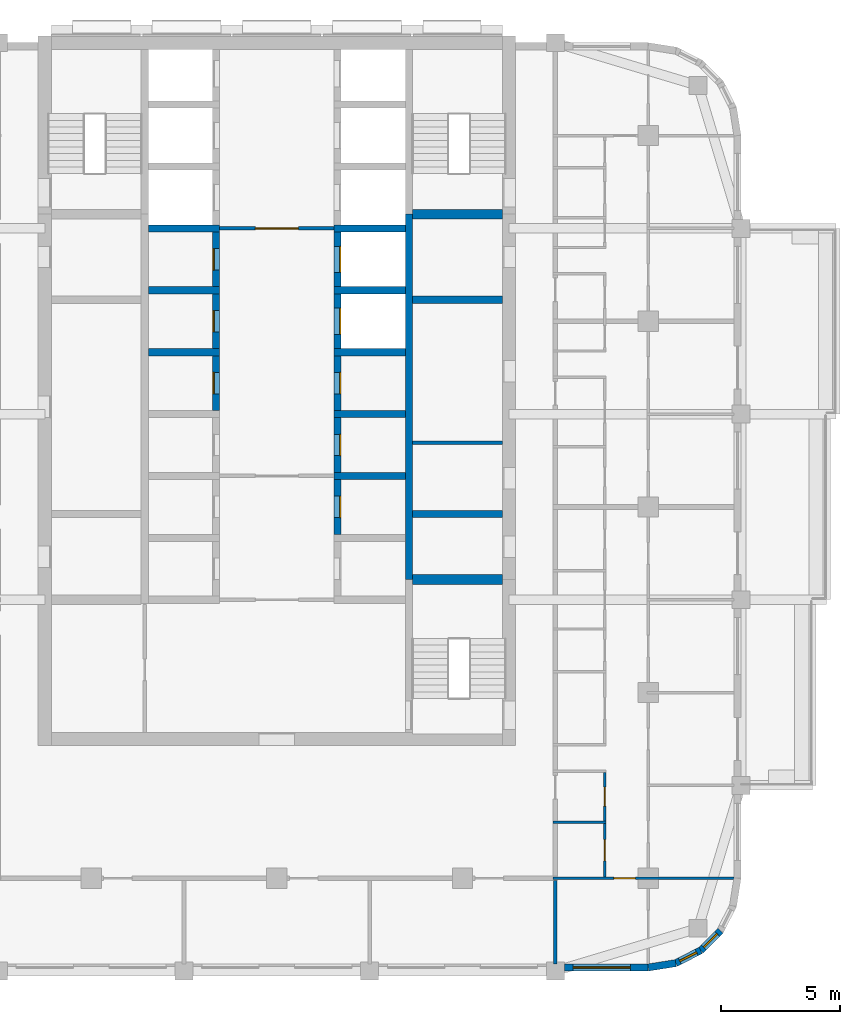
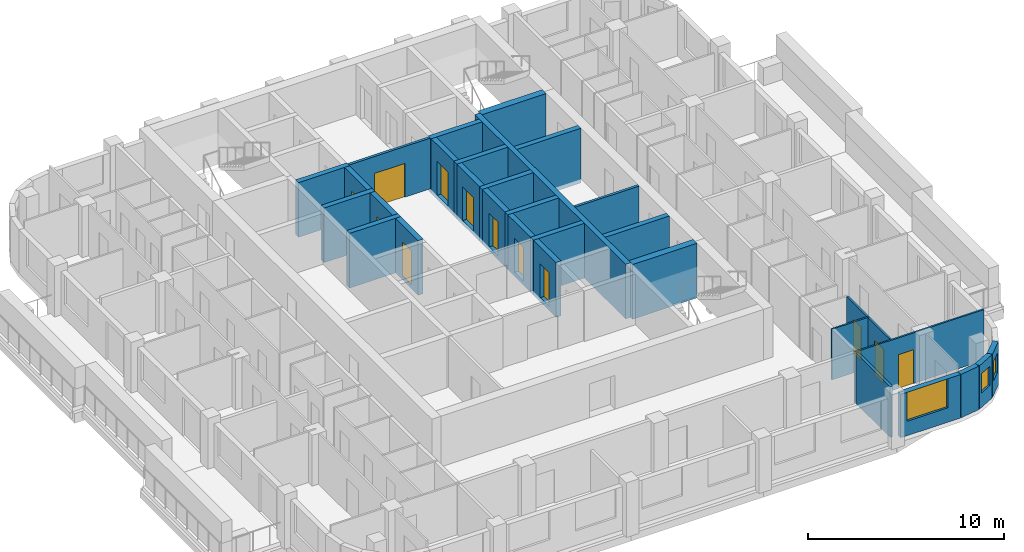
# One storey, part 5 of 13: 31 walls, 12 doors, 3 windows, 15 openings.
"""IFC4 building model written with IfcOpenShell, lengths in metres."""

from ifc_helpers import new_model, si_unit, direction, frame, frame_2d, origin, place, context, subcontext, project, spatial, rectangle, extrude, material, layer, layer_set, type_object, element, fill, save


model = new_model("IFC4")

# Units and contexts
model_context = context("Model", 3, precision=1e-05, world=origin(), true_north=direction((0.0, 1.0)))
body_context = subcontext(model_context, "Body", "Model", "MODEL_VIEW")
ifc_project = project(units=[si_unit("LENGTHUNIT", "METRE"), si_unit("AREAUNIT", "SQUARE_METRE"), si_unit("VOLUMEUNIT", "CUBIC_METRE"), si_unit("PLANEANGLEUNIT", "RADIAN"), si_unit("MASSUNIT", "GRAM", prefix="KILO")], contexts=[model_context])

# Site, building, storey
site_placement = place(None, origin())
site = spatial("IfcSite", under=ifc_project, at=site_placement, CompositionType="ELEMENT")
building_placement = place(site_placement, origin())
building = spatial("IfcBuilding", under=site, at=building_placement, Name="Ludao Terraces", CompositionType="ELEMENT")
storey_placement = place(building_placement, frame((0.0, 0.0, 155.39990234375)))
storey = spatial("IfcBuildingStorey", under=building, at=storey_placement, Name="L42", CompositionType="ELEMENT", Elevation=155.39990234375)

# Wall, opening, window
ifc_material_1 = material(Name="Granite cladding", Category="masonry")
ifc_layer_1 = layer(ifc_material_1, 0.0400390625, Category="stone")
ifc_material_2 = material(Name="Mineral wool")
ifc_layer_2 = layer(ifc_material_2, 0.06005859375)
ifc_material_3 = material(Name="Concrete C40", Category="concrete")
ifc_layer_3 = layer(ifc_material_3, 0.199951171875, Category="concrete")
ifc_layer_set_1 = layer_set([ifc_layer_1, ifc_layer_2, ifc_layer_3], Name="ENV Stone-clad wall 300")
wall_type_1 = type_object("IfcWallType", Name="ENV Stone-clad wall 300", PredefinedType="SOLIDWALL", material=ifc_layer_set_1)
wall_1_placement = place(storey_placement, frame((97.074951171875, 45.64990234375, 0.0), z_axis=(0.0, 0.0, 1.0), x_axis=(1.0, 0.0, 0.0)))
wall_1 = element("IfcWall", 1, at=wall_1_placement, inside=storey, type_object=wall_type_1, Name="EW-L42-S5", PredefinedType="SOLIDWALL", context=body_context, shape_type="SweptSolid", body=[
    extrude(rectangle(XDim=3.525146484375, YDim=0.300048828125, at=frame_2d((1.7626953125, 0.0))), origin(), (0.0, 0.0, 1.0), 2.7001953125),
])
opening_1_placement = place(wall_1_placement, frame((0.375, 0.0, 0.89990234375)))
opening_1 = element("IfcOpeningElement", 2, at=opening_1_placement, cuts=wall_1, Name="Opening W1", PredefinedType="OPENING", context=body_context, shape_type="SweptSolid", body=[
    extrude(rectangle(XDim=2.39990234375, YDim=1.800048828125, at=frame_2d((1.199951171875, 0.89990234375))), frame((0.0, 0.16015625, 0.0), z_axis=(0.0, -1.0, 0.0), x_axis=(1.0, 0.0, 0.0)), (0.0, 0.0, 1.0), 0.320068359375),
])
ifc_material_4 = material(Name="Clear glass in aluminium frame", Category="aluminium")
ifc_layer_4 = layer(ifc_material_4, 0.06005859375)
ifc_layer_set_2 = layer_set([ifc_layer_4], Name="ENV Window W1 2400x1800")
window_type_1 = type_object("IfcWindowType", Name="ENV Window W1 2400x1800", PartitioningType="DOUBLE_PANEL_VERTICAL", PredefinedType="WINDOW", material=ifc_layer_set_2)
window_1_placement = place(opening_1_placement, origin())
window_1 = element("IfcWindow", 3, at=window_1_placement, inside=storey, type_object=window_type_1, Name="W-L42-S5-1", OverallHeight=1.800048828125, OverallWidth=2.39990234375, PartitioningType="DOUBLE_PANEL_VERTICAL", PredefinedType="WINDOW", context=body_context, shape_type="SweptSolid", body=[
    extrude(rectangle(XDim=2.39990234375, YDim=1.800048828125, at=frame_2d((1.199951171875, 0.89990234375))), frame((0.0, 0.030029296875, 0.0), z_axis=(0.0, -1.0, 0.0), x_axis=(1.0, 0.0, 0.0)), (0.0, 0.0, 1.0), 0.06005859375),
])
fill(opening_1, window_1)

# Wall
wall_2_placement = place(storey_placement, frame((100.60009765625, 45.64990234375, 0.0), z_axis=(0.0, 0.0, 1.0), x_axis=(0.987678452879, 0.156496880861, 0.0)))
element("IfcWall", 4, at=wall_2_placement, inside=storey, type_object=wall_type_1, Name="EW-L42-SE1", PredefinedType="SOLIDWALL", context=body_context, shape_type="SweptSolid", body=[
    extrude(rectangle(XDim=1.173095703125, YDim=0.300048828125, at=frame_2d((0.58642578125, 0.0))), origin(), (0.0, 0.0, 1.0), 2.7001953125),
])

# Wall, opening, window
wall_3_placement = place(storey_placement, frame((101.7587890625, 45.83349609375, 0.0), z_axis=(0.0, 0.0, 1.0), x_axis=(0.890988677504, 0.454025524128, 0.0)))
wall_3 = element("IfcWall", 5, at=wall_3_placement, inside=storey, type_object=wall_type_1, Name="EW-L42-SE2", PredefinedType="SOLIDWALL", context=body_context, shape_type="SweptSolid", body=[
    extrude(rectangle(XDim=1.17333984375, YDim=0.300048828125, at=frame_2d((0.586669921875, 0.0))), origin(), (0.0, 0.0, 1.0), 2.7001953125),
])
opening_2_placement = place(wall_3_placement, frame((0.1865234375, 0.0, 0.89990234375)))
opening_2 = element("IfcOpeningElement", 6, at=opening_2_placement, cuts=wall_3, Name="Opening W3", PredefinedType="OPENING", context=body_context, shape_type="SweptSolid", body=[
    extrude(rectangle(XDim=0.800048828125, YDim=1.199951171875, at=frame_2d((0.39990234375, 0.60009765625))), frame((0.0, 0.16015625, 0.0), z_axis=(0.0, -1.0, 0.0), x_axis=(1.0, 0.0, 0.0)), (0.0, 0.0, 1.0), 0.320068359375),
])
ifc_layer_5 = layer(ifc_material_4, 0.06005859375)
ifc_layer_set_3 = layer_set([ifc_layer_5], Name="ENV Window W3 800x1200")
window_type_2 = type_object("IfcWindowType", Name="ENV Window W3 800x1200", PartitioningType="SINGLE_PANEL", PredefinedType="WINDOW", material=ifc_layer_set_3)
window_2_placement = place(opening_2_placement, origin())
window_2 = element("IfcWindow", 7, at=window_2_placement, inside=storey, type_object=window_type_2, Name="W-L42-SE2", OverallHeight=1.199951171875, OverallWidth=0.800048828125, PartitioningType="SINGLE_PANEL", PredefinedType="WINDOW", context=body_context, shape_type="SweptSolid", body=[
    extrude(rectangle(XDim=0.800048828125, YDim=1.199951171875, at=frame_2d((0.39990234375, 0.60009765625))), frame((0.0, 0.030029296875, 0.0), z_axis=(0.0, -1.0, 0.0), x_axis=(1.0, 0.0, 0.0)), (0.0, 0.0, 1.0), 0.06005859375),
])
fill(opening_2, window_2)

wall_4_placement = place(storey_placement, frame((102.80419921875, 46.3662109375, 0.0), z_axis=(0.0, 0.0, 1.0), x_axis=(0.707106781187, 0.707106781187, 0.0)))
wall_4 = element("IfcWall", 8, at=wall_4_placement, inside=storey, type_object=wall_type_1, Name="EW-L42-SE3", PredefinedType="SOLIDWALL", context=body_context, shape_type="SweptSolid", body=[
    extrude(rectangle(XDim=1.173095703125, YDim=0.300048828125, at=frame_2d((0.58642578125, 0.0))), origin(), (0.0, 0.0, 1.0), 2.7001953125),
])
opening_3_placement = place(wall_4_placement, frame((0.1865234375, 0.0, 0.89990234375)))
opening_3 = element("IfcOpeningElement", 9, at=opening_3_placement, cuts=wall_4, Name="Opening W3", PredefinedType="OPENING", context=body_context, shape_type="SweptSolid", body=[
    extrude(rectangle(XDim=0.800048828125, YDim=1.199951171875, at=frame_2d((0.39990234375, 0.60009765625))), frame((0.0, 0.16015625, 0.0), z_axis=(0.0, -1.0, 0.0), x_axis=(1.0, 0.0, 0.0)), (0.0, 0.0, 1.0), 0.320068359375),
])
window_3_placement = place(opening_3_placement, origin())
window_3 = element("IfcWindow", 10, at=window_3_placement, inside=storey, type_object=window_type_2, Name="W-L42-SE3", OverallHeight=1.199951171875, OverallWidth=0.800048828125, PartitioningType="SINGLE_PANEL", PredefinedType="WINDOW", context=body_context, shape_type="SweptSolid", body=[
    extrude(rectangle(XDim=0.800048828125, YDim=1.199951171875, at=frame_2d((0.39990234375, 0.60009765625))), frame((0.0, 0.030029296875, 0.0), z_axis=(0.0, -1.0, 0.0), x_axis=(1.0, 0.0, 0.0)), (0.0, 0.0, 1.0), 0.06005859375),
])
fill(opening_3, window_3)

# Wall
ifc_material_5 = material(Name="Fire-rated gypsum plasterboard", Category="gypsum")
ifc_layer_6 = layer(ifc_material_5, 0.012451171875, Category="gypsum")
ifc_layer_7 = layer(ifc_material_2, 0.10009765625, Name="insulation")
ifc_material_6 = material(Name="Steel Q235", Category="steel")
ifc_layer_8 = layer(ifc_material_6, 0.02490234375, Name="stud")
ifc_layer_9 = layer(ifc_material_5, 0.012451171875, Category="gypsum")
ifc_layer_set_4 = layer_set([ifc_layer_6, ifc_layer_7, ifc_layer_8, ifc_layer_9], Name="INT Core partition 150")
wall_type_2 = type_object("IfcWallType", Name="INT Core partition 150", PredefinedType="PARTITIONING", material=ifc_layer_set_4)
wall_5_placement = place(storey_placement, frame((90.7001953125, 67.699951171875, 0.0), z_axis=(0.0, 0.0, 1.0), x_axis=(1.0, 0.0, 0.0)))
element("IfcWall", 11, at=wall_5_placement, inside=storey, type_object=wall_type_2, Name="PW-L42-PW027", PredefinedType="PARTITIONING", context=body_context, shape_type="SweptSolid", body=[
    extrude(rectangle(XDim=3.77490234375, YDim=0.14990234375, at=frame_2d((1.887451171875, 0.0))), origin(), (0.0, 0.0, 1.0), 3.150146484375),
])

# Wall, opening, door
wall_6_placement = place(storey_placement, frame((82.60009765625, 76.699951171875, 0.0), z_axis=(0.0, 0.0, 1.0), x_axis=(1.0, 0.0, 0.0)))
wall_6 = element("IfcWall", 12, at=wall_6_placement, inside=storey, type_object=wall_type_2, Name="PW-L42-PW040", PredefinedType="PARTITIONING", context=body_context, shape_type="SweptSolid", body=[
    extrude(rectangle(XDim=4.800048828125, YDim=0.14990234375, at=frame_2d((2.39990234375, 0.0))), origin(), (0.0, 0.0, 1.0), 3.150146484375),
])
opening_4_placement = place(wall_6_placement, frame((1.5, 0.0, 0.0)))
opening_4 = element("IfcOpeningElement", 13, at=opening_4_placement, cuts=wall_6, Name="Opening R14-074", PredefinedType="OPENING", context=body_context, shape_type="SweptSolid", body=[
    extrude(rectangle(XDim=1.800048828125, YDim=2.10009765625, at=frame_2d((0.89990234375, 1.050048828125))), frame((0.0, 0.0849609375, 0.0), z_axis=(0.0, -1.0, 0.0), x_axis=(1.0, 0.0, 0.0)), (0.0, 0.0, 1.0), 0.169921875),
])
door_type_1 = type_object("IfcDoorType", Name="INT Fire lobby door 1800", OperationType="DOUBLE_DOOR_SINGLE_SWING", PredefinedType="DOOR", material=ifc_material_6)
door_1_placement = place(opening_4_placement, origin())
door_1 = element("IfcDoor", 14, at=door_1_placement, inside=storey, type_object=door_type_1, Name="DOOR 074", OperationType="DOUBLE_DOOR_SINGLE_SWING", OverallHeight=2.10009765625, OverallWidth=1.800048828125, PredefinedType="DOOR", context=body_context, shape_type="SweptSolid", body=[
    extrude(rectangle(XDim=1.800048828125, YDim=2.10009765625, at=frame_2d((0.89990234375, 1.050048828125))), frame((0.0, 0.02490234375, 0.0), z_axis=(0.0, -1.0, 0.0), x_axis=(1.0, 0.0, 0.0)), (0.0, 0.0, 1.0), 0.050048828125),
])
fill(opening_4, door_1)

ifc_material_7 = material(Name="Gypsum plasterboard", Category="gypsum")
ifc_layer_10 = layer(ifc_material_7, 0.012451171875, Category="gypsum")
ifc_layer_11 = layer(ifc_material_2, 0.06005859375, Name="insulation")
ifc_layer_12 = layer(ifc_material_6, 0.014892578125, Name="stud")
ifc_layer_13 = layer(ifc_material_7, 0.012451171875, Category="gypsum")
ifc_layer_set_5 = layer_set([ifc_layer_10, ifc_layer_11, ifc_layer_12, ifc_layer_13], Name="INT Partition 100")
wall_type_3 = type_object("IfcWallType", Name="INT Partition 100", PredefinedType="PARTITIONING", material=ifc_layer_set_5)
wall_7_placement = place(storey_placement, frame((96.60009765625, 49.39990234375, 0.0), z_axis=(0.0, 0.0, 1.0), x_axis=(1.0, 0.0, 0.0)))
wall_7 = element("IfcWall", 15, at=wall_7_placement, inside=storey, type_object=wall_type_3, Name="PW-L42-PW002", PredefinedType="PARTITIONING", context=body_context, shape_type="SweptSolid", body=[
    extrude(rectangle(XDim=7.60009765625, YDim=0.10009765625, at=frame_2d((3.800048828125, 0.0))), origin(), (0.0, 0.0, 1.0), 3.150146484375),
])
opening_5_placement = place(wall_7_placement, frame((2.56005859375, 0.0, 0.0)))
opening_5 = element("IfcOpeningElement", 16, at=opening_5_placement, cuts=wall_7, Name="Opening R14-007", PredefinedType="OPENING", context=body_context, shape_type="SweptSolid", body=[
    extrude(rectangle(XDim=0.89990234375, YDim=2.10009765625, at=frame_2d((0.449951171875, 1.050048828125))), frame((0.0, 0.06005859375, 0.0), z_axis=(0.0, -1.0, 0.0), x_axis=(1.0, 0.0, 0.0)), (0.0, 0.0, 1.0), 0.1201171875),
])
ifc_material_8 = material(Name="Timber door leaf", Category="wood")
door_type_2 = type_object("IfcDoorType", Name="INT Room door 900", OperationType="SINGLE_SWING_LEFT", PredefinedType="DOOR", material=ifc_material_8)
door_2_placement = place(opening_5_placement, origin())
door_2 = element("IfcDoor", 17, at=door_2_placement, inside=storey, type_object=door_type_2, Name="DOOR 007", OperationType="SINGLE_SWING_LEFT", OverallHeight=2.10009765625, OverallWidth=0.89990234375, PredefinedType="DOOR", context=body_context, shape_type="SweptSolid", body=[
    extrude(rectangle(XDim=0.89990234375, YDim=2.10009765625, at=frame_2d((0.449951171875, 1.050048828125))), frame((0.0, 0.02490234375, 0.0), z_axis=(0.0, -1.0, 0.0), x_axis=(1.0, 0.0, 0.0)), (0.0, 0.0, 1.0), 0.050048828125),
])
fill(opening_5, door_2)

# Wall
wall_8_placement = place(storey_placement, frame((96.60009765625, 51.75, 0.0), z_axis=(0.0, 0.0, 1.0), x_axis=(1.0, 0.0, 0.0)))
element("IfcWall", 18, at=wall_8_placement, inside=storey, type_object=wall_type_3, Name="PW-L42-PW004", PredefinedType="PARTITIONING", context=body_context, shape_type="SweptSolid", body=[
    extrude(rectangle(XDim=2.219970703125, YDim=0.10009765625, at=frame_2d((1.10986328125, 0.0))), origin(), (0.0, 0.0, 1.0), 3.150146484375),
])

# Wall, openings, doors
wall_9_placement = place(storey_placement, frame((98.77001953125, 49.4501953125, 0.0), z_axis=(0.0, 0.0, 1.0), x_axis=(0.0, 1.0, 0.0)))
wall_9 = element("IfcWall", 19, at=wall_9_placement, inside=storey, type_object=wall_type_3, Name="PW-L42-PW060", PredefinedType="PARTITIONING", context=body_context, shape_type="SweptSolid", body=[
    extrude(rectangle(XDim=4.39990234375, YDim=0.10009765625, at=frame_2d((2.199951171875, 0.0))), origin(), (0.0, 0.0, 1.0), 3.150146484375),
])
opening_6_placement = place(wall_9_placement, frame((0.6748046875, 0.0, 0.0)))
opening_6 = element("IfcOpeningElement", 20, at=opening_6_placement, cuts=wall_9, Name="Opening R14-009", PredefinedType="OPENING", context=body_context, shape_type="SweptSolid", body=[
    extrude(rectangle(XDim=0.89990234375, YDim=2.10009765625, at=frame_2d((0.449951171875, 1.050048828125))), frame((0.0, 0.06005859375, 0.0), z_axis=(0.0, -1.0, 0.0), x_axis=(1.0, 0.0, 0.0)), (0.0, 0.0, 1.0), 0.1201171875),
])
opening_7_placement = place(wall_9_placement, frame((2.974853515625, 0.0, 0.0)))
opening_7 = element("IfcOpeningElement", 21, at=opening_7_placement, cuts=wall_9, Name="Opening R14-012", PredefinedType="OPENING", context=body_context, shape_type="SweptSolid", body=[
    extrude(rectangle(XDim=0.800048828125, YDim=2.10009765625, at=frame_2d((0.39990234375, 1.050048828125))), frame((0.0, 0.06005859375, 0.0), z_axis=(0.0, -1.0, 0.0), x_axis=(1.0, 0.0, 0.0)), (0.0, 0.0, 1.0), 0.1201171875),
])
door_type_3 = type_object("IfcDoorType", Name="INT Bathroom door 900", OperationType="SINGLE_SWING_LEFT", PredefinedType="DOOR", material=ifc_material_8)
door_3_placement = place(opening_6_placement, origin())
door_3 = element("IfcDoor", 22, at=door_3_placement, inside=storey, type_object=door_type_3, Name="DOOR 009", OperationType="SINGLE_SWING_LEFT", OverallHeight=2.10009765625, OverallWidth=0.89990234375, PredefinedType="DOOR", context=body_context, shape_type="SweptSolid", body=[
    extrude(rectangle(XDim=0.89990234375, YDim=2.10009765625, at=frame_2d((0.449951171875, 1.050048828125))), frame((0.0, 0.02490234375, 0.0), z_axis=(0.0, -1.0, 0.0), x_axis=(1.0, 0.0, 0.0)), (0.0, 0.0, 1.0), 0.050048828125),
])
fill(opening_6, door_3)
door_type_4 = type_object("IfcDoorType", Name="INT Store door 800", OperationType="SINGLE_SWING_LEFT", PredefinedType="DOOR", material=ifc_material_8)
door_4_placement = place(opening_7_placement, origin())
door_4 = element("IfcDoor", 23, at=door_4_placement, inside=storey, type_object=door_type_4, Name="DOOR 012", OperationType="SINGLE_SWING_LEFT", OverallHeight=2.10009765625, OverallWidth=0.800048828125, PredefinedType="DOOR", context=body_context, shape_type="SweptSolid", body=[
    extrude(rectangle(XDim=0.800048828125, YDim=2.10009765625, at=frame_2d((0.39990234375, 1.050048828125))), frame((0.0, 0.02490234375, 0.0), z_axis=(0.0, -1.0, 0.0), x_axis=(1.0, 0.0, 0.0)), (0.0, 0.0, 1.0), 0.050048828125),
])
fill(opening_7, door_4)

# Walls
ifc_material_9 = material(Name="Autoclaved aerated concrete block B06 A3.5", Category="concrete")
ifc_layer_14 = layer(ifc_material_9, 0.14990234375)
ifc_layer_set_6 = layer_set([ifc_layer_14], Name="INT Party wall 150")
wall_type_4 = type_object("IfcWallType", Name="INT Party wall 150", PredefinedType="PARTITIONING", material=ifc_layer_set_6)
wall_10_placement = place(storey_placement, frame((96.699951171875, 45.800048828125, 0.0), z_axis=(0.0, 0.0, 1.0), x_axis=(0.0, 1.0, 0.0)))
element("IfcWall", 24, at=wall_10_placement, inside=storey, type_object=wall_type_4, Name="PW-L42-PW058", PredefinedType="PARTITIONING", context=body_context, shape_type="SweptSolid", body=[
    extrude(rectangle(XDim=3.5, YDim=0.14990234375, at=frame_2d((1.75, 0.0))), origin(), (0.0, 0.0, 1.0), 3.150146484375),
])
ifc_material_10 = material(Name="Concrete C55", Category="concrete")
ifc_layer_15 = layer(ifc_material_10, 0.300048828125)
ifc_layer_set_7 = layer_set([ifc_layer_15], Name="Shaft wall 300 C55")
wall_type_5 = type_object("IfcWallType", Name="Shaft wall 300 C55", PredefinedType="SOLIDWALL", material=ifc_layer_set_7)
wall_11_placement = place(storey_placement, frame((90.550048828125, 61.949951171875, -0.25), z_axis=(0.0, 0.0, 1.0), x_axis=(0.0, 1.0, 0.0)))
element("IfcWall", 25, at=wall_11_placement, inside=storey, type_object=wall_type_5, Name="Core wall L42 back-E", PredefinedType="SOLIDWALL", context=body_context, shape_type="SweptSolid", body=[
    extrude(rectangle(XDim=15.35009765625, YDim=0.300048828125, at=frame_2d((7.675048828125, 0.0))), origin(), (0.0, 0.0, 1.0), 3.400146484375),
])

# Wall, opening, door
wall_12_placement = place(storey_placement, frame((82.449951171875, 69.050048828125, -0.25), z_axis=(0.0, 0.0, 1.0), x_axis=(0.0, 1.0, 0.0)))
wall_12 = element("IfcWall", 26, at=wall_12_placement, inside=storey, type_object=wall_type_5, Name="Core wall L42 front-W4", PredefinedType="SOLIDWALL", context=body_context, shape_type="SweptSolid", body=[
    extrude(rectangle(XDim=2.300048828125, YDim=0.300048828125, at=frame_2d((1.14990234375, 0.0))), origin(), (0.0, 0.0, 1.0), 3.400146484375),
])
opening_8_placement = place(wall_12_placement, frame((0.699951171875, 0.0, 0.25)))
opening_8 = element("IfcOpeningElement", 27, at=opening_8_placement, cuts=wall_12, Name="Opening R14-053", PredefinedType="OPENING", context=body_context, shape_type="SweptSolid", body=[
    extrude(rectangle(XDim=0.89990234375, YDim=2.10009765625, at=frame_2d((0.449951171875, 1.050048828125))), frame((0.0, 0.16015625, 0.0), z_axis=(0.0, -1.0, 0.0), x_axis=(1.0, 0.0, 0.0)), (0.0, 0.0, 1.0), 0.320068359375),
])
door_5_placement = place(opening_8_placement, origin())
door_5 = element("IfcDoor", 28, at=door_5_placement, inside=storey, type_object=door_type_2, Name="DOOR 053", OperationType="SINGLE_SWING_LEFT", OverallHeight=2.10009765625, OverallWidth=0.89990234375, PredefinedType="DOOR", context=body_context, shape_type="SweptSolid", body=[
    extrude(rectangle(XDim=0.89990234375, YDim=2.10009765625, at=frame_2d((0.449951171875, 1.050048828125))), frame((0.0, 0.13525390625, 0.0), z_axis=(0.0, -1.0, 0.0), x_axis=(1.0, 0.0, 0.0)), (0.0, 0.0, 1.0), 0.050048828125),
])
fill(opening_8, door_5)

# Wall
wall_13_placement = place(storey_placement, frame((79.60009765625, 71.5, -0.25), z_axis=(0.0, 0.0, 1.0), x_axis=(1.0, 0.0, 0.0)))
element("IfcWall", 29, at=wall_13_placement, inside=storey, type_object=wall_type_5, Name="Core wall L42 div-W5", PredefinedType="SOLIDWALL", context=body_context, shape_type="SweptSolid", body=[
    extrude(rectangle(XDim=3.0, YDim=0.300048828125, at=frame_2d((1.5, 0.0))), origin(), (0.0, 0.0, 1.0), 3.400146484375),
])

# Wall, opening, door
wall_14_placement = place(storey_placement, frame((82.449951171875, 71.64990234375, -0.25), z_axis=(0.0, 0.0, 1.0), x_axis=(0.0, 1.0, 0.0)))
wall_14 = element("IfcWall", 30, at=wall_14_placement, inside=storey, type_object=wall_type_5, Name="Core wall L42 front-W5", PredefinedType="SOLIDWALL", context=body_context, shape_type="SweptSolid", body=[
    extrude(rectangle(XDim=2.300048828125, YDim=0.300048828125, at=frame_2d((1.14990234375, 0.0))), origin(), (0.0, 0.0, 1.0), 3.400146484375),
])
opening_9_placement = place(wall_14_placement, frame((0.699951171875, 0.0, 0.25)))
opening_9 = element("IfcOpeningElement", 31, at=opening_9_placement, cuts=wall_14, Name="Opening R14-060", PredefinedType="OPENING", context=body_context, shape_type="SweptSolid", body=[
    extrude(rectangle(XDim=0.89990234375, YDim=2.10009765625, at=frame_2d((0.449951171875, 1.050048828125))), frame((0.0, 0.16015625, 0.0), z_axis=(0.0, -1.0, 0.0), x_axis=(1.0, 0.0, 0.0)), (0.0, 0.0, 1.0), 0.320068359375),
])
door_6_placement = place(opening_9_placement, origin())
door_6 = element("IfcDoor", 32, at=door_6_placement, inside=storey, type_object=door_type_2, Name="DOOR 060", OperationType="SINGLE_SWING_LEFT", OverallHeight=2.10009765625, OverallWidth=0.89990234375, PredefinedType="DOOR", context=body_context, shape_type="SweptSolid", body=[
    extrude(rectangle(XDim=0.89990234375, YDim=2.10009765625, at=frame_2d((0.449951171875, 1.050048828125))), frame((0.0, 0.13525390625, 0.0), z_axis=(0.0, -1.0, 0.0), x_axis=(1.0, 0.0, 0.0)), (0.0, 0.0, 1.0), 0.050048828125),
])
fill(opening_9, door_6)

# Wall
wall_15_placement = place(storey_placement, frame((79.60009765625, 74.10009765625, -0.25), z_axis=(0.0, 0.0, 1.0), x_axis=(1.0, 0.0, 0.0)))
element("IfcWall", 33, at=wall_15_placement, inside=storey, type_object=wall_type_5, Name="Core wall L42 div-W6", PredefinedType="SOLIDWALL", context=body_context, shape_type="SweptSolid", body=[
    extrude(rectangle(XDim=3.0, YDim=0.300048828125, at=frame_2d((1.5, 0.0))), origin(), (0.0, 0.0, 1.0), 3.400146484375),
])

# Wall, opening, door
wall_16_placement = place(storey_placement, frame((82.449951171875, 74.25, -0.25), z_axis=(0.0, 0.0, 1.0), x_axis=(0.0, 1.0, 0.0)))
wall_16 = element("IfcWall", 34, at=wall_16_placement, inside=storey, type_object=wall_type_5, Name="Core wall L42 front-W6", PredefinedType="SOLIDWALL", context=body_context, shape_type="SweptSolid", body=[
    extrude(rectangle(XDim=2.300048828125, YDim=0.300048828125, at=frame_2d((1.14990234375, 0.0))), origin(), (0.0, 0.0, 1.0), 3.400146484375),
])
opening_10_placement = place(wall_16_placement, frame((0.699951171875, 0.0, 0.25)))
opening_10 = element("IfcOpeningElement", 35, at=opening_10_placement, cuts=wall_16, Name="Opening R14-067", PredefinedType="OPENING", context=body_context, shape_type="SweptSolid", body=[
    extrude(rectangle(XDim=0.89990234375, YDim=2.10009765625, at=frame_2d((0.449951171875, 1.050048828125))), frame((0.0, 0.16015625, 0.0), z_axis=(0.0, -1.0, 0.0), x_axis=(1.0, 0.0, 0.0)), (0.0, 0.0, 1.0), 0.320068359375),
])
door_7_placement = place(opening_10_placement, origin())
door_7 = element("IfcDoor", 36, at=door_7_placement, inside=storey, type_object=door_type_2, Name="DOOR 067", OperationType="SINGLE_SWING_RIGHT", OverallHeight=2.10009765625, OverallWidth=0.89990234375, PredefinedType="DOOR", context=body_context, shape_type="SweptSolid", body=[
    extrude(rectangle(XDim=0.89990234375, YDim=2.10009765625, at=frame_2d((0.449951171875, 1.050048828125))), frame((0.0, 0.13525390625, 0.0), z_axis=(0.0, -1.0, 0.0), x_axis=(1.0, 0.0, 0.0)), (0.0, 0.0, 1.0), 0.050048828125),
])
fill(opening_10, door_7)

# Wall
wall_17_placement = place(storey_placement, frame((79.60009765625, 76.699951171875, -0.25), z_axis=(0.0, 0.0, 1.0), x_axis=(1.0, 0.0, 0.0)))
element("IfcWall", 37, at=wall_17_placement, inside=storey, type_object=wall_type_5, Name="Core wall L42 div-W7", PredefinedType="SOLIDWALL", context=body_context, shape_type="SweptSolid", body=[
    extrude(rectangle(XDim=3.0, YDim=0.300048828125, at=frame_2d((1.5, 0.0))), origin(), (0.0, 0.0, 1.0), 3.400146484375),
])

# Wall, opening, door
wall_18_placement = place(storey_placement, frame((87.550048828125, 63.85009765625, -0.25), z_axis=(0.0, 0.0, 1.0), x_axis=(0.0, 1.0, 0.0)))
wall_18 = element("IfcWall", 38, at=wall_18_placement, inside=storey, type_object=wall_type_5, Name="Core wall L42 front-E2", PredefinedType="SOLIDWALL", context=body_context, shape_type="SweptSolid", body=[
    extrude(rectangle(XDim=2.2998046875, YDim=0.300048828125, at=frame_2d((1.14990234375, 0.0))), origin(), (0.0, 0.0, 1.0), 3.400146484375),
])
opening_11_placement = place(wall_18_placement, frame((0.699951171875, 0.0, 0.25)))
opening_11 = element("IfcOpeningElement", 39, at=opening_11_placement, cuts=wall_18, Name="Opening R14-040", PredefinedType="OPENING", context=body_context, shape_type="SweptSolid", body=[
    extrude(rectangle(XDim=0.89990234375, YDim=2.10009765625, at=frame_2d((0.449951171875, 1.050048828125))), frame((0.0, 0.16015625, 0.0), z_axis=(0.0, -1.0, 0.0), x_axis=(1.0, 0.0, 0.0)), (0.0, 0.0, 1.0), 0.320068359375),
])
door_8_placement = place(opening_11_placement, origin())
door_8 = element("IfcDoor", 40, at=door_8_placement, inside=storey, type_object=door_type_2, Name="DOOR 040", OperationType="SINGLE_SWING_RIGHT", OverallHeight=2.10009765625, OverallWidth=0.89990234375, PredefinedType="DOOR", context=body_context, shape_type="SweptSolid", body=[
    extrude(rectangle(XDim=0.89990234375, YDim=2.10009765625, at=frame_2d((0.449951171875, 1.050048828125))), frame((0.0, -0.0849609375, 0.0), z_axis=(0.0, -1.0, 0.0), x_axis=(1.0, 0.0, 0.0)), (0.0, 0.0, 1.0), 0.050048828125),
])
fill(opening_11, door_8)

# Wall
wall_19_placement = place(storey_placement, frame((87.39990234375, 66.300048828125, -0.25), z_axis=(0.0, 0.0, 1.0), x_axis=(1.0, 0.0, 0.0)))
element("IfcWall", 41, at=wall_19_placement, inside=storey, type_object=wall_type_5, Name="Core wall L42 div-E3", PredefinedType="SOLIDWALL", context=body_context, shape_type="SweptSolid", body=[
    extrude(rectangle(XDim=3.0, YDim=0.300048828125, at=frame_2d((1.5, 0.0))), origin(), (0.0, 0.0, 1.0), 3.400146484375),
])

# Wall, opening, door
wall_20_placement = place(storey_placement, frame((87.550048828125, 66.449951171875, -0.25), z_axis=(0.0, 0.0, 1.0), x_axis=(0.0, 1.0, 0.0)))
wall_20 = element("IfcWall", 42, at=wall_20_placement, inside=storey, type_object=wall_type_5, Name="Core wall L42 front-E3", PredefinedType="SOLIDWALL", context=body_context, shape_type="SweptSolid", body=[
    extrude(rectangle(XDim=2.300048828125, YDim=0.300048828125, at=frame_2d((1.14990234375, 0.0))), origin(), (0.0, 0.0, 1.0), 3.400146484375),
])
opening_12_placement = place(wall_20_placement, frame((0.699951171875, 0.0, 0.25)))
opening_12 = element("IfcOpeningElement", 43, at=opening_12_placement, cuts=wall_20, Name="Opening R14-048", PredefinedType="OPENING", context=body_context, shape_type="SweptSolid", body=[
    extrude(rectangle(XDim=0.89990234375, YDim=2.10009765625, at=frame_2d((0.449951171875, 1.050048828125))), frame((0.0, 0.16015625, 0.0), z_axis=(0.0, -1.0, 0.0), x_axis=(1.0, 0.0, 0.0)), (0.0, 0.0, 1.0), 0.320068359375),
])
door_9_placement = place(opening_12_placement, origin())
door_9 = element("IfcDoor", 44, at=door_9_placement, inside=storey, type_object=door_type_2, Name="DOOR 048", OperationType="SINGLE_SWING_LEFT", OverallHeight=2.10009765625, OverallWidth=0.89990234375, PredefinedType="DOOR", context=body_context, shape_type="SweptSolid", body=[
    extrude(rectangle(XDim=0.89990234375, YDim=2.10009765625, at=frame_2d((0.449951171875, 1.050048828125))), frame((0.0, -0.0849609375, 0.0), z_axis=(0.0, -1.0, 0.0), x_axis=(1.0, 0.0, 0.0)), (0.0, 0.0, 1.0), 0.050048828125),
])
fill(opening_12, door_9)

# Wall
wall_21_placement = place(storey_placement, frame((87.39990234375, 68.89990234375, -0.25), z_axis=(0.0, 0.0, 1.0), x_axis=(1.0, 0.0, 0.0)))
element("IfcWall", 45, at=wall_21_placement, inside=storey, type_object=wall_type_5, Name="Core wall L42 div-E4", PredefinedType="SOLIDWALL", context=body_context, shape_type="SweptSolid", body=[
    extrude(rectangle(XDim=3.0, YDim=0.300048828125, at=frame_2d((1.5, 0.0))), origin(), (0.0, 0.0, 1.0), 3.400146484375),
])

# Wall, opening, door
wall_22_placement = place(storey_placement, frame((87.550048828125, 69.050048828125, -0.25), z_axis=(0.0, 0.0, 1.0), x_axis=(0.0, 1.0, 0.0)))
wall_22 = element("IfcWall", 46, at=wall_22_placement, inside=storey, type_object=wall_type_5, Name="Core wall L42 front-E4", PredefinedType="SOLIDWALL", context=body_context, shape_type="SweptSolid", body=[
    extrude(rectangle(XDim=2.300048828125, YDim=0.300048828125, at=frame_2d((1.14990234375, 0.0))), origin(), (0.0, 0.0, 1.0), 3.400146484375),
])
opening_13_placement = place(wall_22_placement, frame((0.699951171875, 0.0, 0.25)))
opening_13 = element("IfcOpeningElement", 47, at=opening_13_placement, cuts=wall_22, Name="Opening R14-054", PredefinedType="OPENING", context=body_context, shape_type="SweptSolid", body=[
    extrude(rectangle(XDim=0.89990234375, YDim=2.10009765625, at=frame_2d((0.449951171875, 1.050048828125))), frame((0.0, 0.16015625, 0.0), z_axis=(0.0, -1.0, 0.0), x_axis=(1.0, 0.0, 0.0)), (0.0, 0.0, 1.0), 0.320068359375),
])
door_10_placement = place(opening_13_placement, origin())
door_10 = element("IfcDoor", 48, at=door_10_placement, inside=storey, type_object=door_type_2, Name="DOOR 054", OperationType="SINGLE_SWING_RIGHT", OverallHeight=2.10009765625, OverallWidth=0.89990234375, PredefinedType="DOOR", context=body_context, shape_type="SweptSolid", body=[
    extrude(rectangle(XDim=0.89990234375, YDim=2.10009765625, at=frame_2d((0.449951171875, 1.050048828125))), frame((0.0, -0.0849609375, 0.0), z_axis=(0.0, -1.0, 0.0), x_axis=(1.0, 0.0, 0.0)), (0.0, 0.0, 1.0), 0.050048828125),
])
fill(opening_13, door_10)

# Wall
wall_23_placement = place(storey_placement, frame((87.39990234375, 71.5, -0.25), z_axis=(0.0, 0.0, 1.0), x_axis=(1.0, 0.0, 0.0)))
element("IfcWall", 49, at=wall_23_placement, inside=storey, type_object=wall_type_5, Name="Core wall L42 div-E5", PredefinedType="SOLIDWALL", context=body_context, shape_type="SweptSolid", body=[
    extrude(rectangle(XDim=3.0, YDim=0.300048828125, at=frame_2d((1.5, 0.0))), origin(), (0.0, 0.0, 1.0), 3.400146484375),
])

# Wall, opening, door
wall_24_placement = place(storey_placement, frame((87.550048828125, 71.64990234375, -0.25), z_axis=(0.0, 0.0, 1.0), x_axis=(0.0, 1.0, 0.0)))
wall_24 = element("IfcWall", 50, at=wall_24_placement, inside=storey, type_object=wall_type_5, Name="Core wall L42 front-E5", PredefinedType="SOLIDWALL", context=body_context, shape_type="SweptSolid", body=[
    extrude(rectangle(XDim=2.300048828125, YDim=0.300048828125, at=frame_2d((1.14990234375, 0.0))), origin(), (0.0, 0.0, 1.0), 3.400146484375),
])
opening_14_placement = place(wall_24_placement, frame((0.60009765625, 0.0, 0.25)))
opening_14 = element("IfcOpeningElement", 51, at=opening_14_placement, cuts=wall_24, Name="Opening LD-LB1", PredefinedType="OPENING", context=body_context, shape_type="SweptSolid", body=[
    extrude(rectangle(XDim=1.10009765625, YDim=2.10009765625, at=frame_2d((0.550048828125, 1.050048828125))), frame((0.0, 0.16015625, 0.0), z_axis=(0.0, -1.0, 0.0), x_axis=(1.0, 0.0, 0.0)), (0.0, 0.0, 1.0), 0.320068359375),
])
ifc_material_11 = material(Name="Stainless steel 304", Category="steel")
door_type_5 = type_object("IfcDoorType", Name="INT Lift landing door 1100", OperationType="SLIDING_TO_LEFT", PredefinedType="DOOR", material=ifc_material_11)
door_11_placement = place(opening_14_placement, origin())
door_11 = element("IfcDoor", 52, at=door_11_placement, inside=storey, type_object=door_type_5, Name="LANDING DOOR LB1 L42", OperationType="SLIDING_TO_LEFT", OverallHeight=2.10009765625, OverallWidth=1.10009765625, PredefinedType="DOOR", context=body_context, shape_type="SweptSolid", body=[
    extrude(rectangle(XDim=1.10009765625, YDim=2.10009765625, at=frame_2d((0.550048828125, 1.050048828125))), frame((0.0, -0.0849609375, 0.0), z_axis=(0.0, -1.0, 0.0), x_axis=(1.0, 0.0, 0.0)), (0.0, 0.0, 1.0), 0.050048828125),
])
fill(opening_14, door_11)

# Wall
wall_25_placement = place(storey_placement, frame((87.39990234375, 74.10009765625, -0.25), z_axis=(0.0, 0.0, 1.0), x_axis=(1.0, 0.0, 0.0)))
element("IfcWall", 53, at=wall_25_placement, inside=storey, type_object=wall_type_5, Name="Core wall L42 div-E6", PredefinedType="SOLIDWALL", context=body_context, shape_type="SweptSolid", body=[
    extrude(rectangle(XDim=3.0, YDim=0.300048828125, at=frame_2d((1.5, 0.0))), origin(), (0.0, 0.0, 1.0), 3.400146484375),
])

# Wall, opening, door
wall_26_placement = place(storey_placement, frame((87.550048828125, 74.25, -0.25), z_axis=(0.0, 0.0, 1.0), x_axis=(0.0, 1.0, 0.0)))
wall_26 = element("IfcWall", 54, at=wall_26_placement, inside=storey, type_object=wall_type_5, Name="Core wall L42 front-E6", PredefinedType="SOLIDWALL", context=body_context, shape_type="SweptSolid", body=[
    extrude(rectangle(XDim=2.300048828125, YDim=0.300048828125, at=frame_2d((1.14990234375, 0.0))), origin(), (0.0, 0.0, 1.0), 3.400146484375),
])
opening_15_placement = place(wall_26_placement, frame((0.60009765625, 0.0, 0.25)))
opening_15 = element("IfcOpeningElement", 55, at=opening_15_placement, cuts=wall_26, Name="Opening LD-LB2", PredefinedType="OPENING", context=body_context, shape_type="SweptSolid", body=[
    extrude(rectangle(XDim=1.10009765625, YDim=2.10009765625, at=frame_2d((0.550048828125, 1.050048828125))), frame((0.0, 0.16015625, 0.0), z_axis=(0.0, -1.0, 0.0), x_axis=(1.0, 0.0, 0.0)), (0.0, 0.0, 1.0), 0.320068359375),
])
door_12_placement = place(opening_15_placement, origin())
door_12 = element("IfcDoor", 56, at=door_12_placement, inside=storey, type_object=door_type_5, Name="LANDING DOOR LB2 L42", OperationType="SLIDING_TO_LEFT", OverallHeight=2.10009765625, OverallWidth=1.10009765625, PredefinedType="DOOR", context=body_context, shape_type="SweptSolid", body=[
    extrude(rectangle(XDim=1.10009765625, YDim=2.10009765625, at=frame_2d((0.550048828125, 1.050048828125))), frame((0.0, -0.0849609375, 0.0), z_axis=(0.0, -1.0, 0.0), x_axis=(1.0, 0.0, 0.0)), (0.0, 0.0, 1.0), 0.050048828125),
])
fill(opening_15, door_12)

# Walls
wall_27_placement = place(storey_placement, frame((87.39990234375, 76.699951171875, -0.25), z_axis=(0.0, 0.0, 1.0), x_axis=(1.0, 0.0, 0.0)))
element("IfcWall", 57, at=wall_27_placement, inside=storey, type_object=wall_type_5, Name="Core wall L42 div-E7", PredefinedType="SOLIDWALL", context=body_context, shape_type="SweptSolid", body=[
    extrude(rectangle(XDim=3.0, YDim=0.300048828125, at=frame_2d((1.5, 0.0))), origin(), (0.0, 0.0, 1.0), 3.400146484375),
])
for number, where, z_axis, x_axis, name in (
    (58, (90.699951171875, 64.699951171875, -0.25), (0.0, 0.0, 1.0), (1.0, 0.0, 0.0), "Core wall L42 riser-a-E"),
    (59, (90.699951171875, 73.699951171875, -0.25), (0.0, 0.0, 1.0), (1.0, 0.0, 0.0), "Core wall L42 riser-b-E"),
):
    element("IfcWall", number, at=place(storey_placement, frame(where, z_axis=z_axis, x_axis=x_axis)), inside=storey, type_object=wall_type_5, Name=name, PredefinedType="SOLIDWALL", context=body_context, shape_type="SweptSolid", body=[
        extrude(rectangle(XDim=3.775146484375, YDim=0.300048828125, at=frame_2d((1.8876953125, 0.0))), origin(), (0.0, 0.0, 1.0), 3.400146484375),
    ])
ifc_layer_16 = layer(ifc_material_10, 0.39990234375)
ifc_layer_set_8 = layer_set([ifc_layer_16], Name="Shaft wall 400 C55")
wall_type_6 = type_object("IfcWallType", Name="Shaft wall 400 C55", PredefinedType="SOLIDWALL", material=ifc_layer_set_8)
for number, where, z_axis, x_axis, name in (
    (60, (90.699951171875, 61.949951171875, -0.25), (0.0, 0.0, 1.0), (1.0, 0.0, 0.0), "Core wall L42 hall-E"),
    (61, (90.699951171875, 77.300048828125, -0.25), (0.0, 0.0, 1.0), (1.0, 0.0, 0.0), "Core wall L42 stair-E"),
):
    element("IfcWall", number, at=place(storey_placement, frame(where, z_axis=z_axis, x_axis=x_axis)), inside=storey, type_object=wall_type_6, Name=name, PredefinedType="SOLIDWALL", context=body_context, shape_type="SweptSolid", body=[
        extrude(rectangle(XDim=3.775146484375, YDim=0.39990234375, at=frame_2d((1.8876953125, 0.0))), origin(), (0.0, 0.0, 1.0), 3.400146484375),
    ])

save(model, "model.ifc")
